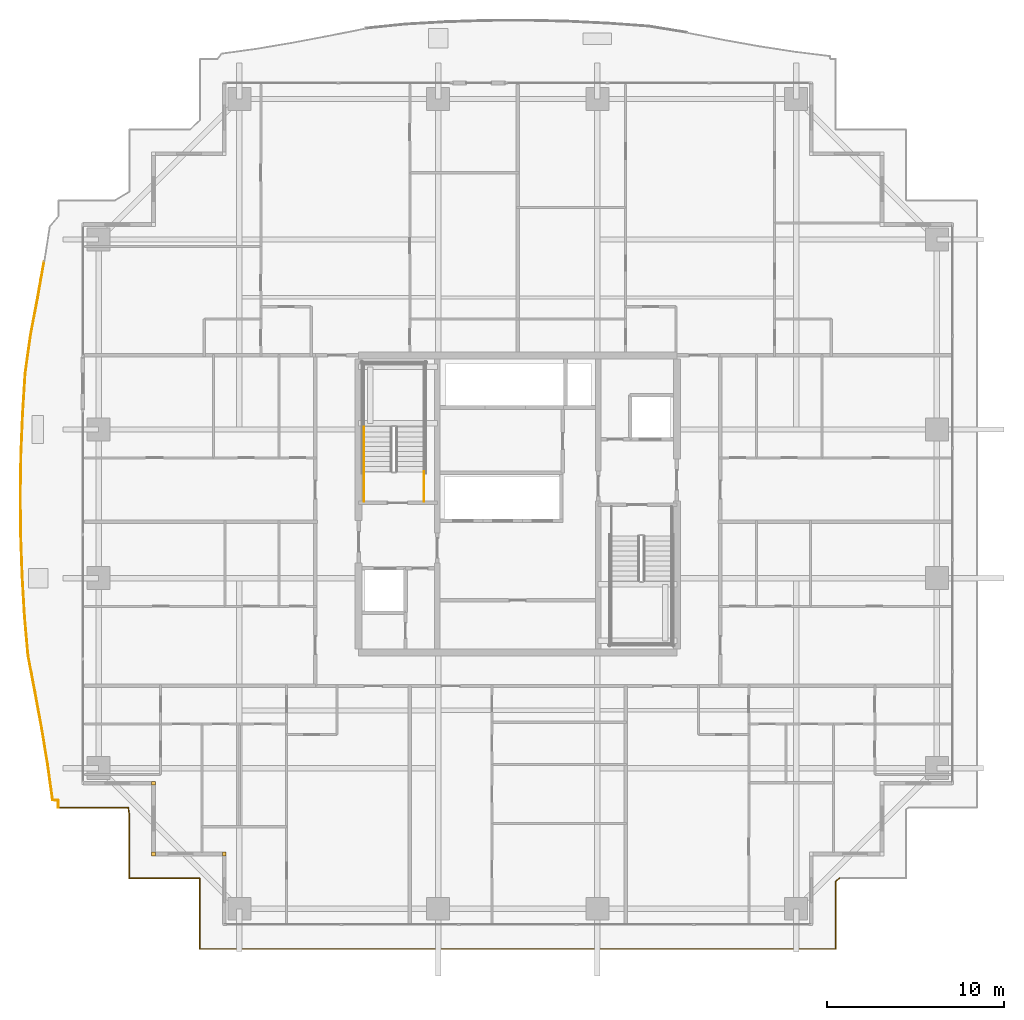
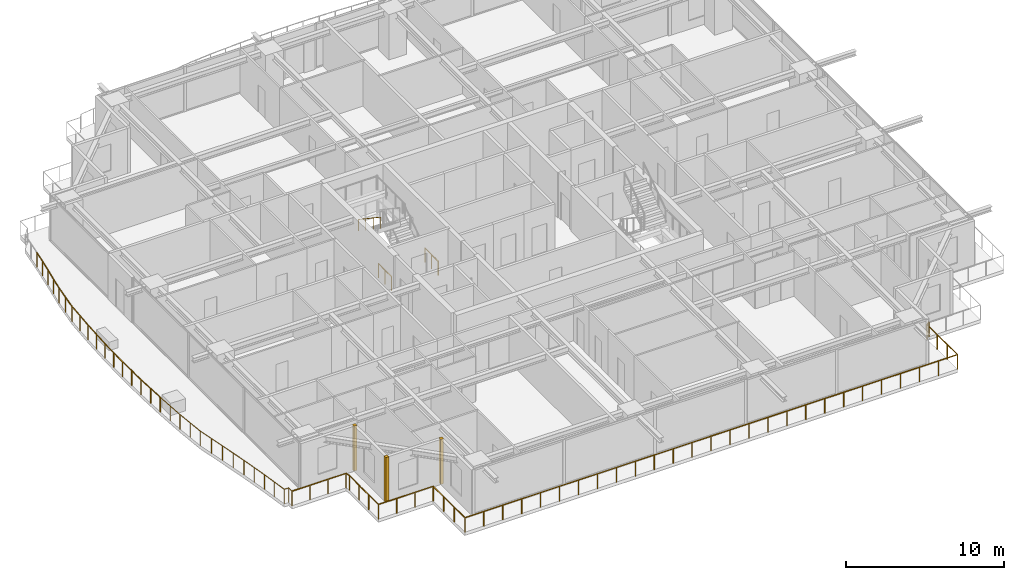
# One storey, part 33 of 37: 6 railings, 3 coverings.
"""IFC4 building model written with IfcOpenShell, lengths in metres."""

import ifcopenshell
import ifcopenshell.guid

model = None  # the IFC model being written
_history = None  # IfcOwnerHistory: only IFC2X3 demands one
_inside = {}  # id of a spatial element -> (the spatial element, [elements in it])
_under = {}  # id of a project, library or spatial element -> (it, [spatial elements below it])
_declared = {}  # id of a project -> (the project, [libraries it declares])
_typed = {}  # id of a type object -> (the type object, [elements of that type])
_made_of = {}  # id of a material, layer set ... -> (it, [elements and type objects made of it])


def new_model(schema):
    """Start an empty IFC model of exactly this schema.

    Asked for "IFC4X3", IfcOpenShell would pick the latest addendum, in which some entities
    have other attributes; the version numbers below select the first issue.
    IFC2X3 requires an IfcOwnerHistory on every rooted entity: one is made here for all.
    """
    global model, _history
    if schema == "IFC4X3":
        model = ifcopenshell.file(schema_version=(4, 3, 0, 0))
    else:
        model = ifcopenshell.file(schema=schema)
    _inside.clear()
    _under.clear()
    _declared.clear()
    _typed.clear()
    _made_of.clear()
    _history = None
    if model.schema == "IFC2X3":
        org = make("IfcOrganization", Name="unknown")
        user = make(
            "IfcPersonAndOrganization",
            ThePerson=make("IfcPerson", FamilyName="unknown"),
            TheOrganization=org,
        )
        app = make(
            "IfcApplication",
            ApplicationDeveloper=org,
            Version="unknown",
            ApplicationFullName="unknown",
            ApplicationIdentifier="unknown",
        )
        _history = make(
            "IfcOwnerHistory",
            OwningUser=user,
            OwningApplication=app,
            ChangeAction="ADDED",
            CreationDate=0,
        )
    return model


def make(cls, **values):
    """One entity of the class cls with the attributes given. An attribute that is None is left unset."""
    return model.create_entity(
        cls, **{name: value for name, value in values.items() if value is not None}
    )


def rooted(cls, **values):
    """An entity with a GlobalId (a new one), such as an element, a storey or a relation."""
    return make(cls, GlobalId=ifcopenshell.guid.new(), OwnerHistory=_history, **values)


def si_unit(unit_type, name, prefix=None):
    """IfcSIUnit, for example si_unit("LENGTHUNIT", "METRE", prefix="MILLI")."""
    return make("IfcSIUnit", UnitType=unit_type, Prefix=prefix, Name=name)


def assignment(units):
    """IfcUnitAssignment: the units of a project."""
    return None if units is None else make("IfcUnitAssignment", Units=units)


def point(xyz):
    """IfcCartesianPoint."""
    return None if xyz is None else make("IfcCartesianPoint", Coordinates=xyz)


def direction(xyz):
    """IfcDirection."""
    return None if xyz is None else make("IfcDirection", DirectionRatios=xyz)


def frame(location, z_axis=None, x_axis=None):
    """IfcAxis2Placement3D, a coordinate frame: its origin and axes. An axis left out is left unset."""
    return make(
        "IfcAxis2Placement3D",
        Location=point(location),
        Axis=direction(z_axis),
        RefDirection=direction(x_axis),
    )


def frame_2d(location, x_axis=None):
    """IfcAxis2Placement2D, a coordinate frame in the plane: its origin and x axis."""
    return make(
        "IfcAxis2Placement2D", Location=point(location), RefDirection=direction(x_axis)
    )


def origin():
    """The frame at (0, 0, 0) with its axes left unset."""
    return frame((0.0, 0.0, 0.0))


def origin_2d():
    """The frame at (0, 0) in the plane with its x axis left unset."""
    return frame_2d((0.0, 0.0))


def place(relative_to, where):
    """IfcLocalPlacement: puts the frame where relative to a parent placement (None: the world)."""
    return make(
        "IfcLocalPlacement", PlacementRelTo=relative_to, RelativePlacement=where
    )


def context(
    kind, dimensions, precision=None, world=None, true_north=None, identifier=None
):
    """IfcGeometricRepresentationContext, for example the 3D "Model" context."""
    return make(
        "IfcGeometricRepresentationContext",
        ContextIdentifier=identifier,
        ContextType=kind,
        CoordinateSpaceDimension=dimensions,
        Precision=precision,
        WorldCoordinateSystem=world,
        TrueNorth=true_north,
    )


def subcontext(parent, identifier, kind, view, scale=None):
    """IfcGeometricRepresentationSubContext, for example "Body" below "Model"."""
    return make(
        "IfcGeometricRepresentationSubContext",
        ContextIdentifier=identifier,
        ContextType=kind,
        ParentContext=parent,
        TargetScale=scale,
        TargetView=view,
    )


def project(units=None, contexts=None):
    """IfcProject with its units and contexts."""
    return rooted(
        "IfcProject",
        Name="project",
        RepresentationContexts=contexts,
        UnitsInContext=assignment(units),
    )


def spatial(cls, under=None, at=None, **own):
    """A site, building, storey or space (cls), placed at a placement, below another one or the project."""
    s = rooted(cls, ObjectPlacement=at, **own)
    if under is not None:
        _under.setdefault(under.id(), (under, []))[1].append(s)
    return s


def profile(cls, at=None, kind="AREA", **sizes):
    """A parametric profile (cls). Its sizes go by their IFC names, for example OverallWidth=200.0."""
    return make(cls, ProfileType=kind, Position=at, **sizes)


def rectangle(**sizes):
    """IfcRectangleProfileDef."""
    return profile("IfcRectangleProfileDef", **sizes)


def circle(**sizes):
    """IfcCircleProfileDef."""
    return profile("IfcCircleProfileDef", **sizes)


def extrude(swept, where, along, depth):
    """IfcExtrudedAreaSolid: the profile swept, set in the frame where, extruded along a direction by depth."""
    return make(
        "IfcExtrudedAreaSolid",
        SweptArea=swept,
        Position=where,
        ExtrudedDirection=direction(along),
        Depth=depth,
    )


def shape(context_of_items, identifier, shape_type, items):
    """IfcShapeRepresentation: the items that make up one representation, for example the "Body"."""
    return make(
        "IfcShapeRepresentation",
        ContextOfItems=context_of_items,
        RepresentationIdentifier=identifier,
        RepresentationType=shape_type,
        Items=items,
    )


def source(mapping_origin, context_of_items, identifier, shape_type, items):
    """IfcRepresentationMap: a shape defined once, which mapped items show again and again."""
    return make(
        "IfcRepresentationMap",
        MappingOrigin=mapping_origin,
        MappedRepresentation=shape(context_of_items, identifier, shape_type, items),
    )


def transform(
    local_origin,
    x_axis=None,
    y_axis=None,
    z_axis=None,
    scale=None,
    scale2=None,
    scale3=None,
    uniform=True,
):
    """IfcCartesianTransformationOperator3D, or its non-uniform kind. x_axis, y_axis, z_axis: its Axis1, 2, 3."""
    if uniform:
        return make(
            "IfcCartesianTransformationOperator3D",
            Axis1=direction(x_axis),
            Axis2=direction(y_axis),
            LocalOrigin=point(local_origin),
            Scale=scale,
            Axis3=direction(z_axis),
        )
    return make(
        "IfcCartesianTransformationOperator3DnonUniform",
        Axis1=direction(x_axis),
        Axis2=direction(y_axis),
        LocalOrigin=point(local_origin),
        Scale=scale,
        Axis3=direction(z_axis),
        Scale2=scale2,
        Scale3=scale3,
    )


def mapped(mapping_source, mapping_target):
    """IfcMappedItem: shows the shape of a source again, moved by a transform."""
    return make(
        "IfcMappedItem", MappingSource=mapping_source, MappingTarget=mapping_target
    )


def material(Name=None, Category=None):
    """IfcMaterial."""
    return make("IfcMaterial", Name=Name, Category=Category)


def layer(
    of_material, thickness, ventilated=None, Name=None, Category=None, Priority=None
):
    """IfcMaterialLayer: one layer of a wall or slab, of a material (None: an air gap)."""
    return make(
        "IfcMaterialLayer",
        Material=of_material,
        LayerThickness=thickness,
        IsVentilated=ventilated,
        Name=Name,
        Category=Category,
        Priority=Priority,
    )


def layer_set(layers, Name=None):
    """IfcMaterialLayerSet."""
    return make("IfcMaterialLayerSet", MaterialLayers=layers, LayerSetName=Name)


def made_of(thing, what):
    """Note that an element or type object is made of a material, layer set ...; save() writes the relation."""
    if what is not None:
        _made_of.setdefault(what.id(), (what, []))[1].append(thing)
    return thing


def type_object(cls, material=None, **own):
    """A type object (cls), such as IfcWallType, which elements share."""
    return made_of(rooted(cls, **own), material)


def element(
    cls,
    number,
    at=None,
    inside=None,
    cuts=None,
    type_object=None,
    material=None,
    context=None,
    identifier="Body",
    shape_type=None,
    held_by="IfcProductDefinitionShape",
    body=None,
    shapes=None,
    **own,
):
    """One element of the class cls, such as IfcWall. Its Tag is "e" and its number.

    at: its placement. inside: the storey or other place that contains it. cuts: it is an
    opening in that element (IfcRelVoidsElement). A single representation is given by context,
    identifier, shape_type and body (its items); several are given by shapes. held_by: the class
    of the entity that holds the representations. save() writes the other relations.
    """
    e = rooted(cls, Tag="e%d" % number, ObjectPlacement=at, **own)
    if body is not None:
        shapes = [shape(context, identifier, shape_type, body)]
    if shapes is not None:
        e.Representation = make(held_by, Representations=shapes)
    if inside is not None:
        _inside.setdefault(inside.id(), (inside, []))[1].append(e)
    if cuts is not None:
        rooted(
            "IfcRelVoidsElement", RelatingBuildingElement=cuts, RelatedOpeningElement=e
        )
    if type_object is not None:
        _typed.setdefault(type_object.id(), (type_object, []))[1].append(e)
    return made_of(e, material)


def aggregate(whole, parts):
    """IfcRelAggregates: a whole, such as a stair, and the parts it consists of."""
    return rooted("IfcRelAggregates", RelatingObject=whole, RelatedObjects=parts)


def save(model, path):
    """Write the relations noted so far, then the file.

    IfcRelAggregates (storeys below a building ...), IfcRelContainedInSpatialStructure (elements
    in a storey), IfcRelDefinesByType, IfcRelAssociatesMaterial and IfcRelDeclares: one each for
    every whole, place, type object, material and project.
    """
    for whole, parts in _under.values():
        aggregate(whole, parts)
    for where, things in _inside.values():
        rooted(
            "IfcRelContainedInSpatialStructure",
            RelatedElements=things,
            RelatingStructure=where,
        )
    for kind, things in _typed.values():
        rooted("IfcRelDefinesByType", RelatedObjects=things, RelatingType=kind)
    for what, things in _made_of.values():
        rooted("IfcRelAssociatesMaterial", RelatedObjects=things, RelatingMaterial=what)
    for by, libraries in _declared.values():
        rooted("IfcRelDeclares", RelatingContext=by, RelatedDefinitions=libraries)
    model.write(path)


model = new_model("IFC4")

# Units and contexts
model_context = context("Model", 3, precision=1e-05, world=origin(), true_north=direction((0.0, 1.0)))
body_context = subcontext(model_context, "Body", "Model", "MODEL_VIEW")
ifc_project = project(units=[si_unit("LENGTHUNIT", "METRE"), si_unit("AREAUNIT", "SQUARE_METRE"), si_unit("VOLUMEUNIT", "CUBIC_METRE"), si_unit("PLANEANGLEUNIT", "RADIAN"), si_unit("MASSUNIT", "GRAM", prefix="KILO")], contexts=[model_context])

# Site, building, storey
site_placement = place(None, origin())
site = spatial("IfcSite", under=ifc_project, at=site_placement, CompositionType="ELEMENT")
building_placement = place(site_placement, origin())
building = spatial("IfcBuilding", under=site, at=building_placement, Name="Serunith Strait Residences", CompositionType="ELEMENT")
storey_placement = place(building_placement, frame((0.0, 0.0, 127.64990234375)))
storey = spatial("IfcBuildingStorey", under=building, at=storey_placement, Name="L31", CompositionType="ELEMENT", Elevation=127.64990234375)

# Railings
ifc_material_1 = material(Name="Stainless Steel & Laminated Glass Balustrade", Category="steel")
railing_type_1 = type_object("IfcRailingType", Name="RLG-BALC-1150", PredefinedType="BALUSTRADE", material=ifc_material_1)
railing_1_placement = place(storey_placement, frame((6.419921875, 8.02001953125, -0.0498046875)))
element("IfcRailing", 1, at=railing_1_placement, inside=storey, type_object=railing_type_1, Name="L31 Swirling Balcony Perimeter Balustrade 1", PredefinedType="BALUSTRADE", context=body_context, shape_type="SweptSolid", body=[
    extrude(circle(Radius=0.02392578125, at=origin_2d()), frame((0.0, 0.001953125, 1.1259765625), z_axis=(0.0, 1.0, 0.0), x_axis=(-1.0, 0.0, 0.0)), (0.0, 0.0, 1.0), 0.40625),
    extrude(circle(Radius=0.02392578125, at=origin_2d()), frame((-0.001953125, 0.41015625, 1.1259765625), z_axis=(-0.998354096912, 0.05735065107, 0.0), x_axis=(-0.05735065107, -0.998354096912, 0.0)), (0.0, 0.0, 1.0), 0.319580078125),
    extrude(circle(Radius=0.02392578125, at=origin_2d()), frame((-0.3232421875, 0.4306640625, 1.1259765625), z_axis=(-0.137700040683, 0.990473976839, 0.0), x_axis=(-0.990473976839, -0.137700040683, 0.0)), (0.0, 0.0, 1.0), 2.01708984375),
    extrude(circle(Radius=0.02392578125, at=origin_2d()), frame((-0.6015625, 2.4326171875, 1.1259765625), z_axis=(-0.162408439988, 0.986723618153, 0.0), x_axis=(-0.986723618153, -0.162408439988, 0.0)), (0.0, 0.0, 1.0), 2.044921875),
    extrude(circle(Radius=0.02392578125, at=origin_2d()), frame((-0.934326171875, 4.454345703125, 1.1259765625), z_axis=(-0.180927869402, 0.983496368104, 0.0), x_axis=(-0.983496368104, -0.180927869402, 0.0)), (0.0, 0.0, 1.0), 2.0888671875),
    extrude(circle(Radius=0.02392578125, at=origin_2d()), frame((-1.313232421875, 6.5126953125, 1.1259765625), z_axis=(-0.186460195664, 0.982462516045, 0.0), x_axis=(-0.982462516045, -0.186460195664, 0.0)), (0.0, 0.0, 1.0), 2.147216796875),
    extrude(circle(Radius=0.02392578125, at=origin_2d()), frame((-1.714111328125, 8.626220703125, 1.1259765625), z_axis=(-0.088742194244, 0.996054628502, 0.0), x_axis=(-0.996054628502, -0.088742194244, 0.0)), (0.0, 0.0, 1.0), 2.22998046875),
    extrude(circle(Radius=0.02392578125, at=origin_2d()), frame((-1.912109375, 10.851318359375, 1.1259765625), z_axis=(-0.057720145887, 0.998332802606, 0.0), x_axis=(-0.998332802606, -0.057720145887, 0.0)), (0.0, 0.0, 1.0), 2.267333984375),
    extrude(circle(Radius=0.02099609375, at=origin_2d()), origin(), (0.0, 0.0, 1.0), 1.099853515625),
    extrude(circle(Radius=0.02099609375, at=origin_2d()), frame((0.0, 0.41015625, 0.0)), (0.0, 0.0, 1.0), 1.099853515625),
    extrude(circle(Radius=0.02099609375, at=origin_2d()), frame((-0.322998046875, 0.4287109375, 0.0)), (0.0, 0.0, 1.0), 1.099853515625),
    extrude(circle(Radius=0.02099609375, at=origin_2d()), frame((-0.462158203125, 1.4296875, 0.0)), (0.0, 0.0, 1.0), 1.099853515625),
    extrude(circle(Radius=0.02099609375, at=origin_2d()), frame((-0.601318359375, 2.4306640625, 0.0)), (0.0, 0.0, 1.0), 1.099853515625),
    extrude(circle(Radius=0.02099609375, at=origin_2d()), frame((-0.767578125, 3.44140625, 0.0)), (0.0, 0.0, 1.0), 1.099853515625),
    extrude(circle(Radius=0.02099609375, at=origin_2d()), frame((-0.93408203125, 4.452392578125, 0.0)), (0.0, 0.0, 1.0), 1.099853515625),
    extrude(circle(Radius=0.02099609375, at=origin_2d()), frame((-1.12353515625, 5.4814453125, 0.0)), (0.0, 0.0, 1.0), 1.099853515625),
    extrude(circle(Radius=0.02099609375, at=origin_2d()), frame((-1.312744140625, 6.5107421875, 0.0)), (0.0, 0.0, 1.0), 1.099853515625),
    extrude(circle(Radius=0.02099609375, at=origin_2d()), frame((-1.51318359375, 7.5673828125, 0.0)), (0.0, 0.0, 1.0), 1.099853515625),
    extrude(circle(Radius=0.02099609375, at=origin_2d()), frame((-1.7138671875, 8.624267578125, 0.0)), (0.0, 0.0, 1.0), 1.099853515625),
    extrude(circle(Radius=0.02099609375, at=origin_2d()), frame((-1.81298828125, 9.73681640625, 0.0)), (0.0, 0.0, 1.0), 1.099853515625),
    extrude(circle(Radius=0.02099609375, at=origin_2d()), frame((-1.912109375, 10.849365234375, 0.0)), (0.0, 0.0, 1.0), 1.099853515625),
    extrude(circle(Radius=0.02099609375, at=origin_2d()), frame((-1.9775390625, 11.983154296875, 0.0)), (0.0, 0.0, 1.0), 1.099853515625),
    extrude(circle(Radius=0.02099609375, at=origin_2d()), frame((-2.043212890625, 13.116943359375, 0.0)), (0.0, 0.0, 1.0), 1.099853515625),
])
railing_2_placement = place(storey_placement, frame((4.376708984375, 21.136962890625, -0.0498046875)))
element("IfcRailing", 2, at=railing_2_placement, inside=storey, type_object=railing_type_1, Name="L31 Swirling Balcony Perimeter Balustrade 2", PredefinedType="BALUSTRADE", context=body_context, shape_type="SweptSolid", body=[
    extrude(circle(Radius=0.02392578125, at=origin_2d()), frame((0.0, 0.001953125, 1.1259765625), z_axis=(-0.035444749736, 0.999371637438, 0.0), x_axis=(-0.999371637438, -0.035444749736, 0.0)), (0.0, 0.0, 1.0), 2.289794921875),
    extrude(circle(Radius=0.02392578125, at=origin_2d()), frame((-0.081298828125, 2.294189453125, 1.1259765625), z_axis=(-0.010064115772, 0.999949355504, 0.0), x_axis=(-0.999949355504, -0.010064115772, 0.0)), (0.0, 0.0, 1.0), 2.300537109375),
    extrude(circle(Radius=0.02392578125, at=origin_2d()), frame((-0.1044921875, 4.5986328125, 1.1259765625), z_axis=(0.016012370438, 0.999871793778, 0.0), x_axis=(-0.999871793778, 0.016012370438, 0.0)), (0.0, 0.0, 1.0), 2.29833984375),
    extrude(circle(Radius=0.02392578125, at=origin_2d()), frame((-0.067626953125, 6.900634765625, 1.1259765625), z_axis=(0.041088962232, 0.999155491994, 0.0), x_axis=(-0.999155491994, 0.041088962232, 0.0)), (0.0, 0.0, 1.0), 2.28369140625),
    extrude(circle(Radius=0.02392578125, at=origin_2d()), frame((0.026611328125, 9.186279296875, 1.1259765625), z_axis=(0.062593283777, 0.998039117884, 0.0), x_axis=(-0.998039117884, 0.062593283777, 0.0)), (0.0, 0.0, 1.0), 2.25830078125),
    extrude(circle(Radius=0.02392578125, at=origin_2d()), frame((0.168212890625, 11.444091796875, 1.1259765625), z_axis=(0.139135733302, 0.990273319704, 0.0), x_axis=(-0.990273319704, 0.139135733302, 0.0)), (0.0, 0.0, 1.0), 2.194580078125),
    extrude(circle(Radius=0.02392578125, at=origin_2d()), frame((0.474365234375, 13.621337890625, 1.1259765625), z_axis=(0.186035495468, 0.982543024211, 0.0), x_axis=(-0.982543024211, 0.186035495468, 0.0)), (0.0, 0.0, 1.0), 2.1220703125),
    extrude(circle(Radius=0.02392578125, at=origin_2d()), frame((0.86962890625, 15.710205078125, 1.1259765625), z_axis=(0.174779622771, 0.984607578411, 0.0), x_axis=(-0.984607578411, 0.174779622771, 0.0)), (0.0, 0.0, 1.0), 2.06884765625),
    extrude(circle(Radius=0.02099609375, at=origin_2d()), origin(), (0.0, 0.0, 1.0), 1.099853515625),
    extrude(circle(Radius=0.02099609375, at=origin_2d()), frame((-0.04052734375, 1.14599609375, 0.0)), (0.0, 0.0, 1.0), 1.099853515625),
    extrude(circle(Radius=0.02099609375, at=origin_2d()), frame((-0.081298828125, 2.292236328125, 0.0)), (0.0, 0.0, 1.0), 1.099853515625),
    extrude(circle(Radius=0.02099609375, at=origin_2d()), frame((-0.0927734375, 3.4443359375, 0.0)), (0.0, 0.0, 1.0), 1.099853515625),
    extrude(circle(Radius=0.02099609375, at=origin_2d()), frame((-0.1044921875, 4.5966796875, 0.0)), (0.0, 0.0, 1.0), 1.099853515625),
    extrude(circle(Radius=0.02099609375, at=origin_2d()), frame((-0.0859375, 5.74755859375, 0.0)), (0.0, 0.0, 1.0), 1.099853515625),
    extrude(circle(Radius=0.02099609375, at=origin_2d()), frame((-0.067626953125, 6.898681640625, 0.0)), (0.0, 0.0, 1.0), 1.099853515625),
    extrude(circle(Radius=0.02099609375, at=origin_2d()), frame((-0.0205078125, 8.04150390625, 0.0)), (0.0, 0.0, 1.0), 1.099853515625),
    extrude(circle(Radius=0.02099609375, at=origin_2d()), frame((0.0263671875, 9.184326171875, 0.0)), (0.0, 0.0, 1.0), 1.099853515625),
    extrude(circle(Radius=0.02099609375, at=origin_2d()), frame((0.09716796875, 10.313232421875, 0.0)), (0.0, 0.0, 1.0), 1.099853515625),
    extrude(circle(Radius=0.02099609375, at=origin_2d()), frame((0.16796875, 11.442138671875, 0.0)), (0.0, 0.0, 1.0), 1.099853515625),
    extrude(circle(Radius=0.02099609375, at=origin_2d()), frame((0.32080078125, 12.53076171875, 0.0)), (0.0, 0.0, 1.0), 1.099853515625),
    extrude(circle(Radius=0.02099609375, at=origin_2d()), frame((0.473876953125, 13.619384765625, 0.0)), (0.0, 0.0, 1.0), 1.099853515625),
    extrude(circle(Radius=0.02099609375, at=origin_2d()), frame((0.671630859375, 14.663818359375, 0.0)), (0.0, 0.0, 1.0), 1.099853515625),
    extrude(circle(Radius=0.02099609375, at=origin_2d()), frame((0.869384765625, 15.708251953125, 0.0)), (0.0, 0.0, 1.0), 1.099853515625),
    extrude(circle(Radius=0.02099609375, at=origin_2d()), frame((1.050537109375, 16.728759765625, 0.0)), (0.0, 0.0, 1.0), 1.099853515625),
    extrude(circle(Radius=0.02099609375, at=origin_2d()), frame((1.231689453125, 17.749267578125, 0.0)), (0.0, 0.0, 1.0), 1.099853515625),
])
railing_3_placement = place(storey_placement, frame((50.601806640625, 4.02001953125, -0.0498046875)))
element("IfcRailing", 3, at=railing_3_placement, inside=storey, type_object=railing_type_1, Name="L31 Swirling Balcony Perimeter Balustrade 8", PredefinedType="BALUSTRADE", context=body_context, shape_type="SweptSolid", body=[
    extrude(circle(Radius=0.02392578125, at=origin_2d()), frame((-0.00146484375, -0.001220703125, 1.1259765625), z_axis=(-0.778021630841, -0.62823748849, 0.0), x_axis=(0.62823748849, -0.778021630841, 0.0)), (0.0, 0.0, 1.0), 0.28125),
    extrude(circle(Radius=0.02392578125, at=origin_2d()), frame((-0.221923828125, -0.18115234375, 1.1259765625), z_axis=(0.0, -1.0, 0.0), x_axis=(1.0, 0.0, 0.0)), (0.0, 0.0, 1.0), 3.81689453125),
    extrude(circle(Radius=0.02392578125, at=origin_2d()), frame((-0.223876953125, -4.0, 1.1259765625), z_axis=(-1.0, 0.0, 0.0), x_axis=(0.0, -1.0, 0.0)), (0.0, 0.0, 1.0), 35.9560546875),
    extrude(circle(Radius=0.02392578125, at=origin_2d()), frame((-36.181884765625, -3.998046875, 1.1259765625), z_axis=(0.0, 1.0, 0.0), x_axis=(-1.0, 0.0, 0.0)), (0.0, 0.0, 1.0), 3.99609375),
    extrude(circle(Radius=0.02392578125, at=origin_2d()), frame((-36.183837890625, 0.0, 1.1259765625), z_axis=(-1.0, 0.0, 0.0), x_axis=(0.0, -1.0, 0.0)), (0.0, 0.0, 1.0), 3.99609375),
    extrude(circle(Radius=0.02392578125, at=origin_2d()), frame((-40.181884765625, 0.001953125, 1.1259765625), z_axis=(0.0, 1.0, 0.0), x_axis=(-1.0, 0.0, 0.0)), (0.0, 0.0, 1.0), 3.664306640625),
    extrude(circle(Radius=0.02392578125, at=origin_2d()), frame((-40.18212890625, 3.670166015625, 1.1259765625), z_axis=(-0.14559878135, 0.989343719275, 0.0), x_axis=(-0.989343719275, -0.14559878135, 0.0)), (0.0, 0.0, 1.0), 0.331298828125),
    extrude(circle(Radius=0.02392578125, at=origin_2d()), frame((-40.232666015625, 4.0, 1.1259765625), z_axis=(-1.0, 0.0, 0.0), x_axis=(0.0, -1.0, 0.0)), (0.0, 0.0, 1.0), 3.947265625),
    extrude(circle(Radius=0.02099609375, at=origin_2d()), origin(), (0.0, 0.0, 1.0), 1.099853515625),
    extrude(circle(Radius=0.02099609375, at=origin_2d()), frame((-0.221923828125, -0.17919921875, 0.0)), (0.0, 0.0, 1.0), 1.099853515625),
    extrude(circle(Radius=0.02099609375, at=origin_2d()), frame((-0.221923828125, -1.452880859375, 0.0)), (0.0, 0.0, 1.0), 1.099853515625),
    extrude(circle(Radius=0.02099609375, at=origin_2d()), frame((-0.221923828125, -2.726318359375, 0.0)), (0.0, 0.0, 1.0), 1.099853515625),
    extrude(circle(Radius=0.02099609375, at=origin_2d()), frame((-0.221923828125, -4.0, 0.0)), (0.0, 0.0, 1.0), 1.099853515625),
    extrude(circle(Radius=0.02099609375, at=origin_2d()), frame((-1.60498046875, -4.0, 0.0)), (0.0, 0.0, 1.0), 1.099853515625),
    extrude(circle(Radius=0.02099609375, at=origin_2d()), frame((-2.988037109375, -4.0, 0.0)), (0.0, 0.0, 1.0), 1.099853515625),
    extrude(circle(Radius=0.02099609375, at=origin_2d()), frame((-4.37109375, -4.0, 0.0)), (0.0, 0.0, 1.0), 1.099853515625),
    extrude(circle(Radius=0.02099609375, at=origin_2d()), frame((-5.754150390625, -4.0, 0.0)), (0.0, 0.0, 1.0), 1.099853515625),
    extrude(circle(Radius=0.02099609375, at=origin_2d()), frame((-7.13720703125, -4.0, 0.0)), (0.0, 0.0, 1.0), 1.099853515625),
    extrude(circle(Radius=0.02099609375, at=origin_2d()), frame((-8.520263671875, -4.0, 0.0)), (0.0, 0.0, 1.0), 1.099853515625),
    extrude(circle(Radius=0.02099609375, at=origin_2d()), frame((-9.903564453125, -4.0, 0.0)), (0.0, 0.0, 1.0), 1.099853515625),
    extrude(circle(Radius=0.02099609375, at=origin_2d()), frame((-11.28662109375, -4.0, 0.0)), (0.0, 0.0, 1.0), 1.099853515625),
    extrude(circle(Radius=0.02099609375, at=origin_2d()), frame((-12.669677734375, -4.0, 0.0)), (0.0, 0.0, 1.0), 1.099853515625),
    extrude(circle(Radius=0.02099609375, at=origin_2d()), frame((-14.052734375, -4.0, 0.0)), (0.0, 0.0, 1.0), 1.099853515625),
    extrude(circle(Radius=0.02099609375, at=origin_2d()), frame((-15.435791015625, -4.0, 0.0)), (0.0, 0.0, 1.0), 1.099853515625),
    extrude(circle(Radius=0.02099609375, at=origin_2d()), frame((-16.81884765625, -4.0, 0.0)), (0.0, 0.0, 1.0), 1.099853515625),
    extrude(circle(Radius=0.02099609375, at=origin_2d()), frame((-18.201904296875, -4.0, 0.0)), (0.0, 0.0, 1.0), 1.099853515625),
    extrude(circle(Radius=0.02099609375, at=origin_2d()), frame((-19.5849609375, -4.0, 0.0)), (0.0, 0.0, 1.0), 1.099853515625),
    extrude(circle(Radius=0.02099609375, at=origin_2d()), frame((-20.968017578125, -4.0, 0.0)), (0.0, 0.0, 1.0), 1.099853515625),
    extrude(circle(Radius=0.02099609375, at=origin_2d()), frame((-22.35107421875, -4.0, 0.0)), (0.0, 0.0, 1.0), 1.099853515625),
    extrude(circle(Radius=0.02099609375, at=origin_2d()), frame((-23.734130859375, -4.0, 0.0)), (0.0, 0.0, 1.0), 1.099853515625),
    extrude(circle(Radius=0.02099609375, at=origin_2d()), frame((-25.1171875, -4.0, 0.0)), (0.0, 0.0, 1.0), 1.099853515625),
    extrude(circle(Radius=0.02099609375, at=origin_2d()), frame((-26.500244140625, -4.0, 0.0)), (0.0, 0.0, 1.0), 1.099853515625),
    extrude(circle(Radius=0.02099609375, at=origin_2d()), frame((-27.883544921875, -4.0, 0.0)), (0.0, 0.0, 1.0), 1.099853515625),
    extrude(circle(Radius=0.02099609375, at=origin_2d()), frame((-29.2666015625, -4.0, 0.0)), (0.0, 0.0, 1.0), 1.099853515625),
    extrude(circle(Radius=0.02099609375, at=origin_2d()), frame((-30.649658203125, -4.0, 0.0)), (0.0, 0.0, 1.0), 1.099853515625),
    extrude(circle(Radius=0.02099609375, at=origin_2d()), frame((-32.03271484375, -4.0, 0.0)), (0.0, 0.0, 1.0), 1.099853515625),
    extrude(circle(Radius=0.02099609375, at=origin_2d()), frame((-33.415771484375, -4.0, 0.0)), (0.0, 0.0, 1.0), 1.099853515625),
    extrude(circle(Radius=0.02099609375, at=origin_2d()), frame((-34.798828125, -4.0, 0.0)), (0.0, 0.0, 1.0), 1.099853515625),
    extrude(circle(Radius=0.02099609375, at=origin_2d()), frame((-36.181884765625, -4.0, 0.0)), (0.0, 0.0, 1.0), 1.099853515625),
    extrude(circle(Radius=0.02099609375, at=origin_2d()), frame((-36.181884765625, -2.666748046875, 0.0)), (0.0, 0.0, 1.0), 1.099853515625),
    extrude(circle(Radius=0.02099609375, at=origin_2d()), frame((-36.181884765625, -1.333251953125, 0.0)), (0.0, 0.0, 1.0), 1.099853515625),
    extrude(circle(Radius=0.02099609375, at=origin_2d()), frame((-36.181884765625, 0.0, 0.0)), (0.0, 0.0, 1.0), 1.099853515625),
    extrude(circle(Radius=0.02099609375, at=origin_2d()), frame((-37.51513671875, 0.0, 0.0)), (0.0, 0.0, 1.0), 1.099853515625),
    extrude(circle(Radius=0.02099609375, at=origin_2d()), frame((-38.8486328125, 0.0, 0.0)), (0.0, 0.0, 1.0), 1.099853515625),
    extrude(circle(Radius=0.02099609375, at=origin_2d()), frame((-40.181884765625, 0.0, 0.0)), (0.0, 0.0, 1.0), 1.099853515625),
    extrude(circle(Radius=0.02099609375, at=origin_2d()), frame((-40.181884765625, 1.22265625, 0.0)), (0.0, 0.0, 1.0), 1.099853515625),
    extrude(circle(Radius=0.02099609375, at=origin_2d()), frame((-40.181884765625, 2.445556640625, 0.0)), (0.0, 0.0, 1.0), 1.099853515625),
    extrude(circle(Radius=0.02099609375, at=origin_2d()), frame((-40.181884765625, 3.668212890625, 0.0)), (0.0, 0.0, 1.0), 1.099853515625),
    extrude(circle(Radius=0.02099609375, at=origin_2d()), frame((-40.230712890625, 4.0, 0.0)), (0.0, 0.0, 1.0), 1.099853515625),
    extrude(circle(Radius=0.02099609375, at=origin_2d()), frame((-41.5478515625, 4.0, 0.0)), (0.0, 0.0, 1.0), 1.099853515625),
    extrude(circle(Radius=0.02099609375, at=origin_2d()), frame((-42.86474609375, 4.0, 0.0)), (0.0, 0.0, 1.0), 1.099853515625),
    extrude(circle(Radius=0.02099609375, at=origin_2d()), frame((-44.181884765625, 4.0, 0.0)), (0.0, 0.0, 1.0), 1.099853515625),
])
ifc_material_2 = material(Name="Brushed stainless steel 316L", Category="steel")
railing_type_2 = type_object("IfcRailingType", Name="RLG-STAIR-GUARD", PredefinedType="BALUSTRADE", material=ifc_material_2)
for number, where, name in (
    (4, (27.10009765625, 25.35009765625, 0.0), "L31 ST-1 stair guard 8"),
    (5, (23.699951171875, 25.35009765625, 0.0), "L31 ST-1 stair guard 9"),
):
    element("IfcRailing", number, at=place(storey_placement, frame(where)), inside=storey, type_object=railing_type_2, Name=name, PredefinedType="BALUSTRADE", context=body_context, shape_type="SweptSolid", body=[
        extrude(circle(Radius=0.02392578125, at=origin_2d()), frame((0.0, 0.001953125, 1.076171875), z_axis=(0.0, 1.0, 0.0), x_axis=(-1.0, 0.0, 0.0)), (0.0, 0.0, 1.0), 1.676025390625),
        extrude(circle(Radius=0.02099609375, at=origin_2d()), origin(), (0.0, 0.0, 1.0), 1.050048828125),
        extrude(circle(Radius=0.02099609375, at=origin_2d()), frame((0.0, 0.83984375, 0.0)), (0.0, 0.0, 1.0), 1.050048828125),
        extrude(circle(Radius=0.02099609375, at=origin_2d()), frame((0.0, 1.679931640625, 0.0)), (0.0, 0.0, 1.0), 1.050048828125),
    ])
railing_type_3 = type_object("IfcRailingType", Name="RLG-STAIR-HR", PredefinedType="HANDRAIL", material=ifc_material_2)
railing_4_placement = place(storey_placement, frame((23.699951171875, 29.550048828125, 2.0625)))
element("IfcRailing", 6, at=railing_4_placement, inside=storey, type_object=railing_type_3, Name="L31 ST-1 stair handrail 2", PredefinedType="HANDRAIL", context=body_context, shape_type="SweptSolid", body=[
    extrude(circle(Radius=0.02392578125, at=origin_2d()), frame((0.0, -0.001708984375, 0.876953125), z_axis=(0.0, -0.830208209119, 0.557453432594), x_axis=(1.0, 0.0, 0.0)), (0.0, 0.0, 1.0), 3.36865234375),
    extrude(circle(Radius=0.02099609375, at=origin_2d()), origin(), (0.0, 0.0, 1.0), 0.849853515625),
    extrude(circle(Radius=0.02099609375, at=origin_2d()), frame((0.0, -0.933349609375, 0.626708984375)), (0.0, 0.0, 1.0), 0.849853515625),
    extrude(circle(Radius=0.02099609375, at=origin_2d()), frame((0.0, -1.86669921875, 1.25341796875)), (0.0, 0.0, 1.0), 0.849853515625),
    extrude(circle(Radius=0.02099609375, at=origin_2d()), frame((0.0, -2.800048828125, 1.880126953125)), (0.0, 0.0, 1.0), 0.849853515625),
])

# Coverings
ifc_material_3 = material(Name="Pale-Champagne Anodised Aluminium", Category="aluminium")
ifc_layer = layer(ifc_material_3, 0.219970703125, Name="Pale-Champagne Anodised Aluminium")
ifc_layer_set = layer_set([ifc_layer], Name="Pale-Champagne Anodised Aluminium")
covering_type = type_object("IfcCoveringType", Name="COV-CORN-TRIM", PredefinedType="CLADDING", material=ifc_layer_set)
shared_shape = source(origin(), body_context, "Body", "SweptSolid", [
    extrude(rectangle(XDim=0.221923828125, YDim=0.221923828125, at=origin_2d()), origin(), (0.0, 0.0, 1.0), 3.47509765625),
])
for number, where, z_axis, x_axis, name in (
    (7, (11.800048828125, 9.39990234375, 0.0), (0.0, 0.0, 1.0), (1.0, 0.0, 0.0), "L31 Girih Serrated Corner Trim Post 17"),
    (8, (11.800048828125, 5.39990234375, 0.0), (0.0, 0.0, 1.0), (1.0, 0.0, 0.0), "L31 Girih Serrated Corner Trim Post 18"),
    (9, (15.800048828125, 5.39990234375, 0.0), (0.0, 0.0, 1.0), (1.0, 0.0, 0.0), "L31 Girih Serrated Corner Trim Post 19"),
):
    element("IfcCovering", number, at=place(storey_placement, frame(where, z_axis=z_axis, x_axis=x_axis)), inside=storey, type_object=covering_type, Name=name, PredefinedType="CLADDING", context=body_context, shape_type="MappedRepresentation", body=[
        mapped(shared_shape, transform((0.0, 0.0, 0.0), scale=1.0)),
    ])

save(model, "model.ifc")
